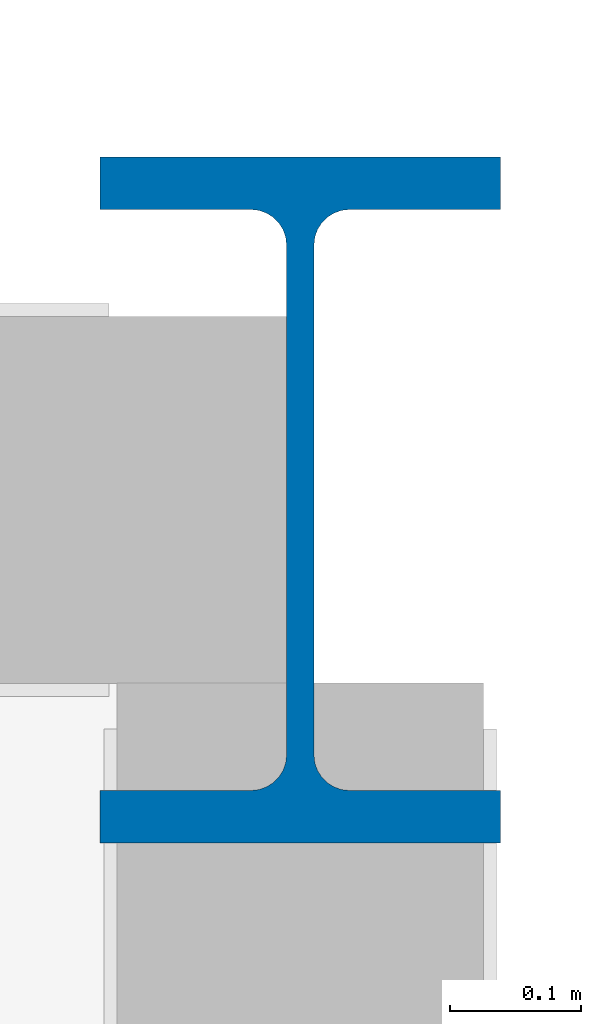
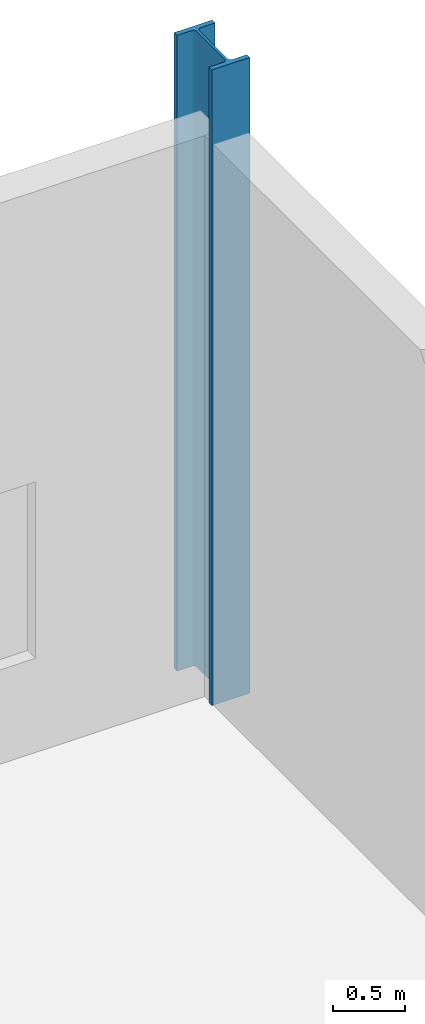
# One storey, part 15 of 84: 1 column.
"""IFC4 building model written with IfcOpenShell, lengths in metres."""

from ifc_helpers import new_model, si_unit, direction, frame, origin, origin_2d, place, context, subcontext, project, spatial, i_section, extrude, material, material_profile, profile_set, type_object, element, save


model = new_model("IFC4")

# Units and contexts
model_context = context("Model", 3, precision=1e-05, world=origin(), true_north=direction((0.0, 1.0)))
body_context = subcontext(model_context, "Body", "Model", "MODEL_VIEW")
ifc_project = project(units=[si_unit("LENGTHUNIT", "METRE"), si_unit("AREAUNIT", "SQUARE_METRE"), si_unit("VOLUMEUNIT", "CUBIC_METRE"), si_unit("PLANEANGLEUNIT", "RADIAN"), si_unit("MASSUNIT", "GRAM", prefix="KILO")], contexts=[model_context])

# Site, building, storey
site_placement = place(None, origin())
site = spatial("IfcSite", under=ifc_project, at=site_placement, CompositionType="ELEMENT")
building_placement = place(site_placement, origin())
building = spatial("IfcBuilding", under=site, at=building_placement, Name="Kimbaza Rail Terminus", CompositionType="ELEMENT")
storey_placement = place(building_placement, frame((0.0, 0.0, 5.39990234375)))
storey = spatial("IfcBuildingStorey", under=building, at=storey_placement, Name="L01", CompositionType="ELEMENT", Elevation=5.39990234375)

# Column
ifc_material = material(Name="Steel S355", Category="steel")
ifc_material_profile = material_profile(ifc_material, i_section(OverallWidth=0.305908203125, OverallDepth=0.52392578125, WebThickness=0.02099609375, FlangeThickness=0.0400390625, FilletRadius=0.027099609375, at=origin_2d()), Name="HEM 500")
ifc_profile_set = profile_set([ifc_material_profile], Name="Steel S355")
column_type = type_object("IfcColumnType", Name="STR-COL-HEM500", PredefinedType="COLUMN", material=ifc_profile_set)
column_placement = place(storey_placement, frame((156.0, 133.0, 0.0), z_axis=(0.0, 0.0, 1.0), x_axis=(1.0, 0.0, 0.0)))
element("IfcColumn", 1, at=column_placement, inside=storey, type_object=column_type, Name="Operations Column L01 (6,2)", PredefinedType="COLUMN", context=body_context, shape_type="SweptSolid", body=[
    extrude(i_section(OverallWidth=0.305908203125, OverallDepth=0.52392578125, WebThickness=0.02099609375, FlangeThickness=0.0400390625, FilletRadius=0.027099609375, at=origin_2d()), origin(), (0.0, 0.0, 1.0), 5.400146484375),
])

save(model, "model.ifc")
